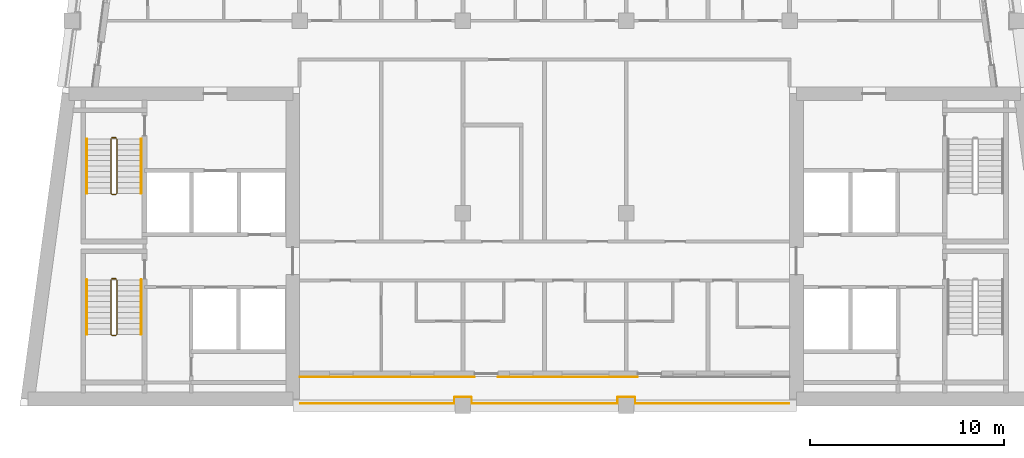
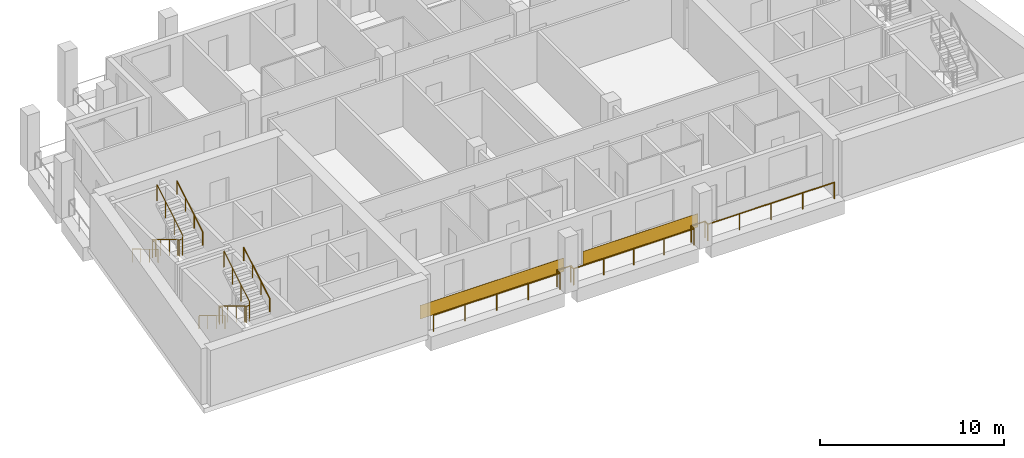
# One storey, part 7 of 9: 9 railings, 2 coverings.
"""IFC4 building model written with IfcOpenShell, lengths in metres."""

from ifc_helpers import new_model, si_unit, direction, frame, origin, origin_2d, place, context, subcontext, project, spatial, rectangle, circle, extrude, material, layer, layer_set, type_object, element, save


model = new_model("IFC4")

# Units and contexts
model_context = context("Model", 3, precision=1e-05, world=origin(), true_north=direction((0.0, 1.0)))
body_context = subcontext(model_context, "Body", "Model", "MODEL_VIEW")
ifc_project = project(units=[si_unit("LENGTHUNIT", "METRE"), si_unit("AREAUNIT", "SQUARE_METRE"), si_unit("VOLUMEUNIT", "CUBIC_METRE"), si_unit("PLANEANGLEUNIT", "RADIAN"), si_unit("MASSUNIT", "GRAM", prefix="KILO")], contexts=[model_context])

# Site, building, storey
site_placement = place(None, origin())
site = spatial("IfcSite", under=ifc_project, at=site_placement, CompositionType="ELEMENT")
building_placement = place(site_placement, origin())
building = spatial("IfcBuilding", under=site, at=building_placement, Name="Candeia Pilgrim Tower and Theatre", CompositionType="ELEMENT")
storey_placement = place(building_placement, frame((0.0, 0.0, 296.0)))
storey = spatial("IfcBuildingStorey", under=building, at=storey_placement, Name="L72", CompositionType="ELEMENT", Elevation=296.0)

# Railing
ifc_material_1 = material(Name="Stainless steel balustrade", Category="steel")
railing_type_1 = type_object("IfcRailingType", Name="G1 loggia guard 1100", PredefinedType="GUARDRAIL", material=ifc_material_1)
railing_1_placement = place(storey_placement, frame((125.949951171875, 116.1201171875, 0.0)))
element("IfcRailing", 1, at=railing_1_placement, inside=storey, type_object=railing_type_1, Name="Guard L72.3", PredefinedType="GUARDRAIL", context=body_context, shape_type="SweptSolid", body=[
    extrude(circle(Radius=0.02392578125, at=origin_2d()), frame((0.0, 0.0, 1.076171875), z_axis=(-1.0, 0.0, 0.0), x_axis=(0.0, -1.0, 0.0)), (0.0, 0.0, 1.0), 7.919921875),
    extrude(circle(Radius=0.02392578125, at=origin_2d()), frame((-7.919921875, 0.0, 1.076171875), z_axis=(0.0, 1.0, 0.0), x_axis=(-1.0, 0.0, 0.0)), (0.0, 0.0, 1.0), 0.309814453125),
    extrude(circle(Radius=0.02392578125, at=origin_2d()), frame((-7.919921875, 0.309814453125, 1.076171875), z_axis=(-1.0, 0.0, 0.0), x_axis=(0.0, -1.0, 0.0)), (0.0, 0.0, 1.0), 0.860107421875),
    extrude(circle(Radius=0.02392578125, at=origin_2d()), frame((-8.780029296875, 0.309814453125, 1.076171875), z_axis=(0.0, -1.0, 0.0), x_axis=(1.0, 0.0, 0.0)), (0.0, 0.0, 1.0), 0.309814453125),
    extrude(circle(Radius=0.02392578125, at=origin_2d()), frame((-8.780029296875, 0.0, 1.076171875), z_axis=(-1.0, 0.0, 0.0), x_axis=(0.0, -1.0, 0.0)), (0.0, 0.0, 1.0), 7.5400390625),
    extrude(circle(Radius=0.02392578125, at=origin_2d()), frame((-16.320068359375, 0.0, 1.076171875), z_axis=(0.0, 1.0, 0.0), x_axis=(-1.0, 0.0, 0.0)), (0.0, 0.0, 1.0), 0.309814453125),
    extrude(circle(Radius=0.02392578125, at=origin_2d()), frame((-16.320068359375, 0.309814453125, 1.076171875), z_axis=(-1.0, 0.0, 0.0), x_axis=(0.0, -1.0, 0.0)), (0.0, 0.0, 1.0), 0.85986328125),
    extrude(circle(Radius=0.02392578125, at=origin_2d()), frame((-17.179931640625, 0.309814453125, 1.076171875), z_axis=(0.0, -1.0, 0.0), x_axis=(1.0, 0.0, 0.0)), (0.0, 0.0, 1.0), 0.309814453125),
    extrude(circle(Radius=0.02392578125, at=origin_2d()), frame((-17.179931640625, 0.0, 1.076171875), z_axis=(-1.0, 0.0, 0.0), x_axis=(0.0, -1.0, 0.0)), (0.0, 0.0, 1.0), 7.919921875),
    extrude(circle(Radius=0.02099609375, at=origin_2d()), origin(), (0.0, 0.0, 1.0), 1.052001953125),
    extrude(circle(Radius=0.02099609375, at=origin_2d()), frame((-1.97998046875, 0.0, 0.0)), (0.0, 0.0, 1.0), 1.052001953125),
    extrude(circle(Radius=0.02099609375, at=origin_2d()), frame((-3.9599609375, 0.0, 0.0)), (0.0, 0.0, 1.0), 1.052001953125),
    extrude(circle(Radius=0.02099609375, at=origin_2d()), frame((-5.93994140625, 0.0, 0.0)), (0.0, 0.0, 1.0), 1.052001953125),
    extrude(circle(Radius=0.02099609375, at=origin_2d()), frame((-7.919921875, 0.0, 0.0)), (0.0, 0.0, 1.0), 1.052001953125),
    extrude(circle(Radius=0.02099609375, at=origin_2d()), frame((-7.919921875, 0.309814453125, 0.0)), (0.0, 0.0, 1.0), 1.052001953125),
    extrude(circle(Radius=0.02099609375, at=origin_2d()), frame((-8.780029296875, 0.309814453125, 0.0)), (0.0, 0.0, 1.0), 1.052001953125),
    extrude(circle(Radius=0.02099609375, at=origin_2d()), frame((-8.780029296875, 0.0, 0.0)), (0.0, 0.0, 1.0), 1.052001953125),
    extrude(circle(Radius=0.02099609375, at=origin_2d()), frame((-10.6650390625, 0.0, 0.0)), (0.0, 0.0, 1.0), 1.052001953125),
    extrude(circle(Radius=0.02099609375, at=origin_2d()), frame((-12.550048828125, 0.0, 0.0)), (0.0, 0.0, 1.0), 1.052001953125),
    extrude(circle(Radius=0.02099609375, at=origin_2d()), frame((-14.43505859375, 0.0, 0.0)), (0.0, 0.0, 1.0), 1.052001953125),
    extrude(circle(Radius=0.02099609375, at=origin_2d()), frame((-16.320068359375, 0.0, 0.0)), (0.0, 0.0, 1.0), 1.052001953125),
    extrude(circle(Radius=0.02099609375, at=origin_2d()), frame((-16.320068359375, 0.309814453125, 0.0)), (0.0, 0.0, 1.0), 1.052001953125),
    extrude(circle(Radius=0.02099609375, at=origin_2d()), frame((-17.179931640625, 0.309814453125, 0.0)), (0.0, 0.0, 1.0), 1.052001953125),
    extrude(circle(Radius=0.02099609375, at=origin_2d()), frame((-17.179931640625, 0.0, 0.0)), (0.0, 0.0, 1.0), 1.052001953125),
    extrude(circle(Radius=0.02099609375, at=origin_2d()), frame((-19.159912109375, 0.0, 0.0)), (0.0, 0.0, 1.0), 1.052001953125),
    extrude(circle(Radius=0.02099609375, at=origin_2d()), frame((-21.139892578125, 0.0, 0.0)), (0.0, 0.0, 1.0), 1.052001953125),
    extrude(circle(Radius=0.02099609375, at=origin_2d()), frame((-23.119873046875, 0.0, 0.0)), (0.0, 0.0, 1.0), 1.052001953125),
    extrude(circle(Radius=0.02099609375, at=origin_2d()), frame((-25.099853515625, 0.0, 0.0)), (0.0, 0.0, 1.0), 1.052001953125),
])

# Coverings
ifc_material_2 = material(Name="Glazed ceramic tile bottle green")
ifc_layer = layer(ifc_material_2, 0.02001953125)
ifc_layer_set = layer_set([ifc_layer], Name="Glazed ceramic tile bottle green")
covering_type = type_object("IfcCoveringType", Name="Glazed ceramic tile bottle green", PredefinedType="CLADDING", material=ifc_layer_set)
covering_1_placement = place(storey_placement, frame((105.300048828125, 117.489990234375, 0.0), z_axis=(0.0, 0.0, 1.0), x_axis=(1.0, 0.0, 0.0)))
element("IfcCovering", 2, at=covering_1_placement, inside=storey, type_object=covering_type, Name="Tile cladding bottle green L72", PredefinedType="CLADDING", context=body_context, shape_type="SweptSolid", body=[
    extrude(rectangle(XDim=9.0, YDim=0.02001953125, at=origin_2d()), origin(), (0.0, 0.0, 1.0), 0.89990234375),
])
covering_2_placement = place(storey_placement, frame((114.60009765625, 117.489990234375, 0.0), z_axis=(0.0, 0.0, 1.0), x_axis=(1.0, 0.0, 0.0)))
element("IfcCovering", 3, at=covering_2_placement, inside=storey, type_object=covering_type, Name="Tile cladding bottle green L72", PredefinedType="CLADDING", context=body_context, shape_type="SweptSolid", body=[
    extrude(rectangle(XDim=7.199951171875, YDim=0.02001953125, at=origin_2d()), origin(), (0.0, 0.0, 1.0), 0.89990234375),
])

# Railings
railing_type_2 = type_object("IfcRailingType", Name="RL-GUARD-1100", PredefinedType="GUARDRAIL", material=ifc_material_1)
railing_2_placement = place(storey_placement, frame((91.10205078125, 122.47509765625, 0.168212890625)))
element("IfcRailing", 4, at=railing_2_placement, inside=storey, type_object=railing_type_2, Name="L72 ST1 stair guard 1", PredefinedType="GUARDRAIL", context=body_context, shape_type="SweptSolid", body=[
    extrude(circle(Radius=0.02392578125, at=origin_2d()), frame((0.0, 0.0, 1.076171875), z_axis=(0.0, -0.857242210791, 0.514913383045), x_axis=(1.0, 0.0, 0.0)), (0.0, 0.0, 1.0), 3.266357421875),
    extrude(circle(Radius=0.02392578125, at=origin_2d()), frame((0.0, -2.800048828125, 2.7578125), z_axis=(0.707106781187, -0.707106781187, 0.0), x_axis=(0.707106781187, 0.707106781187, 0.0)), (0.0, 0.0, 1.0), 0.07080078125),
    extrude(circle(Radius=0.02392578125, at=origin_2d()), frame((0.050048828125, -2.85009765625, 2.7578125), z_axis=(1.0, 0.0, 0.0), x_axis=(0.0, 1.0, 0.0)), (0.0, 0.0, 1.0), 0.199951171875),
    extrude(circle(Radius=0.02392578125, at=origin_2d()), frame((0.25, -2.85009765625, 2.7578125), z_axis=(0.274582412415, 0.274582412415, 0.921525364591), x_axis=(-0.707106781187, 0.707106781187, 0.0)), (0.0, 0.0, 1.0), 0.182373046875),
    extrude(circle(Radius=0.02392578125, at=origin_2d()), frame((0.300048828125, -2.800048828125, 2.92578125), z_axis=(0.0, 0.857242210791, 0.514913383045), x_axis=(-1.0, 0.0, 0.0)), (0.0, 0.0, 1.0), 3.266357421875),
    extrude(circle(Radius=0.02099609375, at=origin_2d()), origin(), (0.0, 0.0, 1.0), 1.052001953125),
    extrude(circle(Radius=0.02099609375, at=origin_2d()), frame((0.0, -0.933349609375, 0.560546875)), (0.0, 0.0, 1.0), 1.052001953125),
    extrude(circle(Radius=0.02099609375, at=origin_2d()), frame((0.0, -1.86669921875, 1.121337890625)), (0.0, 0.0, 1.0), 1.052001953125),
    extrude(circle(Radius=0.02099609375, at=origin_2d()), frame((0.0, -2.800048828125, 1.681884765625)), (0.0, 0.0, 1.0), 1.052001953125),
    extrude(circle(Radius=0.02099609375, at=origin_2d()), frame((0.050048828125, -2.85009765625, 1.681884765625)), (0.0, 0.0, 1.0), 1.052001953125),
    extrude(circle(Radius=0.02099609375, at=origin_2d()), frame((0.25, -2.85009765625, 1.681884765625)), (0.0, 0.0, 1.0), 1.052001953125),
    extrude(circle(Radius=0.02099609375, at=origin_2d()), frame((0.300048828125, -2.800048828125, 1.849853515625)), (0.0, 0.0, 1.0), 1.052001953125),
    extrude(circle(Radius=0.02099609375, at=origin_2d()), frame((0.300048828125, -1.86669921875, 2.410400390625)), (0.0, 0.0, 1.0), 1.052001953125),
    extrude(circle(Radius=0.02099609375, at=origin_2d()), frame((0.300048828125, -0.933349609375, 2.97119140625)), (0.0, 0.0, 1.0), 1.052001953125),
    extrude(circle(Radius=0.02099609375, at=origin_2d()), frame((0.300048828125, 0.0, 3.53173828125)), (0.0, 0.0, 1.0), 1.052001953125),
])
railing_3_placement = place(storey_placement, frame((91.152099609375, 122.52490234375, 0.0)))
element("IfcRailing", 5, at=railing_3_placement, inside=storey, type_object=railing_type_2, Name="L72 ST1 stair guard 2", PredefinedType="GUARDRAIL", context=body_context, shape_type="SweptSolid", body=[
    extrude(circle(Radius=0.02392578125, at=origin_2d()), frame((0.0, 0.0, 1.076171875), z_axis=(1.0, 0.0, 0.0), x_axis=(0.0, 1.0, 0.0)), (0.0, 0.0, 1.0), 0.199951171875),
    extrude(circle(Radius=0.02099609375, at=origin_2d()), origin(), (0.0, 0.0, 1.0), 1.052001953125),
    extrude(circle(Radius=0.02099609375, at=origin_2d()), frame((0.199951171875, 0.0, 0.0)), (0.0, 0.0, 1.0), 1.052001953125),
])
railing_4_placement = place(storey_placement, frame((91.10205078125, 129.72509765625, 0.168212890625)))
element("IfcRailing", 6, at=railing_4_placement, inside=storey, type_object=railing_type_2, Name="L72 ST2 stair guard 1", PredefinedType="GUARDRAIL", context=body_context, shape_type="SweptSolid", body=[
    extrude(circle(Radius=0.02392578125, at=origin_2d()), frame((0.0, 0.0, 1.076171875), z_axis=(0.0, -0.857242210791, 0.514913383045), x_axis=(1.0, 0.0, 0.0)), (0.0, 0.0, 1.0), 3.266357421875),
    extrude(circle(Radius=0.02392578125, at=origin_2d()), frame((0.0, -2.800048828125, 2.7578125), z_axis=(0.707106781187, -0.707106781187, 0.0), x_axis=(0.707106781187, 0.707106781187, 0.0)), (0.0, 0.0, 1.0), 0.07080078125),
    extrude(circle(Radius=0.02392578125, at=origin_2d()), frame((0.050048828125, -2.85009765625, 2.7578125), z_axis=(1.0, 0.0, 0.0), x_axis=(0.0, 1.0, 0.0)), (0.0, 0.0, 1.0), 0.199951171875),
    extrude(circle(Radius=0.02392578125, at=origin_2d()), frame((0.25, -2.85009765625, 2.7578125), z_axis=(0.274582412415, 0.274582412415, 0.921525364591), x_axis=(-0.707106781187, 0.707106781187, 0.0)), (0.0, 0.0, 1.0), 0.182373046875),
    extrude(circle(Radius=0.02392578125, at=origin_2d()), frame((0.300048828125, -2.800048828125, 2.92578125), z_axis=(0.0, 0.857242210791, 0.514913383045), x_axis=(-1.0, 0.0, 0.0)), (0.0, 0.0, 1.0), 3.266357421875),
    extrude(circle(Radius=0.02099609375, at=origin_2d()), origin(), (0.0, 0.0, 1.0), 1.052001953125),
    extrude(circle(Radius=0.02099609375, at=origin_2d()), frame((0.0, -0.933349609375, 0.560546875)), (0.0, 0.0, 1.0), 1.052001953125),
    extrude(circle(Radius=0.02099609375, at=origin_2d()), frame((0.0, -1.86669921875, 1.121337890625)), (0.0, 0.0, 1.0), 1.052001953125),
    extrude(circle(Radius=0.02099609375, at=origin_2d()), frame((0.0, -2.800048828125, 1.681884765625)), (0.0, 0.0, 1.0), 1.052001953125),
    extrude(circle(Radius=0.02099609375, at=origin_2d()), frame((0.050048828125, -2.85009765625, 1.681884765625)), (0.0, 0.0, 1.0), 1.052001953125),
    extrude(circle(Radius=0.02099609375, at=origin_2d()), frame((0.25, -2.85009765625, 1.681884765625)), (0.0, 0.0, 1.0), 1.052001953125),
    extrude(circle(Radius=0.02099609375, at=origin_2d()), frame((0.300048828125, -2.800048828125, 1.849853515625)), (0.0, 0.0, 1.0), 1.052001953125),
    extrude(circle(Radius=0.02099609375, at=origin_2d()), frame((0.300048828125, -1.86669921875, 2.410400390625)), (0.0, 0.0, 1.0), 1.052001953125),
    extrude(circle(Radius=0.02099609375, at=origin_2d()), frame((0.300048828125, -0.933349609375, 2.97119140625)), (0.0, 0.0, 1.0), 1.052001953125),
    extrude(circle(Radius=0.02099609375, at=origin_2d()), frame((0.300048828125, 0.0, 3.53173828125)), (0.0, 0.0, 1.0), 1.052001953125),
])
railing_5_placement = place(storey_placement, frame((91.152099609375, 129.77490234375, 0.0)))
element("IfcRailing", 7, at=railing_5_placement, inside=storey, type_object=railing_type_2, Name="L72 ST2 stair guard 2", PredefinedType="GUARDRAIL", context=body_context, shape_type="SweptSolid", body=[
    extrude(circle(Radius=0.02392578125, at=origin_2d()), frame((0.0, 0.0, 1.076171875), z_axis=(1.0, 0.0, 0.0), x_axis=(0.0, 1.0, 0.0)), (0.0, 0.0, 1.0), 0.199951171875),
    extrude(circle(Radius=0.02099609375, at=origin_2d()), origin(), (0.0, 0.0, 1.0), 1.052001953125),
    extrude(circle(Radius=0.02099609375, at=origin_2d()), frame((0.199951171875, 0.0, 0.0)), (0.0, 0.0, 1.0), 1.052001953125),
])
ifc_material_3 = material(Name="Stainless steel handrail", Category="steel")
railing_type_3 = type_object("IfcRailingType", Name="RL-HANDRAIL-900", PredefinedType="HANDRAIL", material=ifc_material_3)
railing_6_placement = place(storey_placement, frame((89.85205078125, 122.47509765625, 0.168212890625)))
element("IfcRailing", 8, at=railing_6_placement, inside=storey, type_object=railing_type_3, Name="L72 ST1 stair handrail 1", PredefinedType="HANDRAIL", context=body_context, shape_type="SweptSolid", body=[
    extrude(circle(Radius=0.02392578125, at=origin_2d()), frame((0.0, 0.0, 0.8759765625), z_axis=(0.0, -0.857242210791, 0.514913383045), x_axis=(1.0, 0.0, 0.0)), (0.0, 0.0, 1.0), 3.266357421875),
    extrude(circle(Radius=0.02099609375, at=origin_2d()), origin(), (0.0, 0.0, 1.0), 0.851806640625),
    extrude(circle(Radius=0.02099609375, at=origin_2d()), frame((0.0, -0.933349609375, 0.560546875)), (0.0, 0.0, 1.0), 0.851806640625),
    extrude(circle(Radius=0.02099609375, at=origin_2d()), frame((0.0, -1.86669921875, 1.121337890625)), (0.0, 0.0, 1.0), 0.851806640625),
    extrude(circle(Radius=0.02099609375, at=origin_2d()), frame((0.0, -2.800048828125, 1.681884765625)), (0.0, 0.0, 1.0), 0.851806640625),
])
railing_7_placement = place(storey_placement, frame((92.652099609375, 119.675048828125, 2.01806640625)))
element("IfcRailing", 9, at=railing_7_placement, inside=storey, type_object=railing_type_3, Name="L72 ST1 stair handrail 2", PredefinedType="HANDRAIL", context=body_context, shape_type="SweptSolid", body=[
    extrude(circle(Radius=0.02392578125, at=origin_2d()), frame((0.0, 0.0, 0.8759765625), z_axis=(0.0, 0.857242210791, 0.514913383045), x_axis=(-1.0, 0.0, 0.0)), (0.0, 0.0, 1.0), 3.266357421875),
    extrude(circle(Radius=0.02099609375, at=origin_2d()), origin(), (0.0, 0.0, 1.0), 0.851806640625),
    extrude(circle(Radius=0.02099609375, at=origin_2d()), frame((0.0, 0.933349609375, 0.560546875)), (0.0, 0.0, 1.0), 0.851806640625),
    extrude(circle(Radius=0.02099609375, at=origin_2d()), frame((0.0, 1.86669921875, 1.121337890625)), (0.0, 0.0, 1.0), 0.851806640625),
    extrude(circle(Radius=0.02099609375, at=origin_2d()), frame((0.0, 2.800048828125, 1.681884765625)), (0.0, 0.0, 1.0), 0.851806640625),
])
railing_8_placement = place(storey_placement, frame((89.85205078125, 129.72509765625, 0.168212890625)))
element("IfcRailing", 10, at=railing_8_placement, inside=storey, type_object=railing_type_3, Name="L72 ST2 stair handrail 1", PredefinedType="HANDRAIL", context=body_context, shape_type="SweptSolid", body=[
    extrude(circle(Radius=0.02392578125, at=origin_2d()), frame((0.0, 0.0, 0.8759765625), z_axis=(0.0, -0.857242210791, 0.514913383045), x_axis=(1.0, 0.0, 0.0)), (0.0, 0.0, 1.0), 3.266357421875),
    extrude(circle(Radius=0.02099609375, at=origin_2d()), origin(), (0.0, 0.0, 1.0), 0.851806640625),
    extrude(circle(Radius=0.02099609375, at=origin_2d()), frame((0.0, -0.933349609375, 0.560546875)), (0.0, 0.0, 1.0), 0.851806640625),
    extrude(circle(Radius=0.02099609375, at=origin_2d()), frame((0.0, -1.86669921875, 1.121337890625)), (0.0, 0.0, 1.0), 0.851806640625),
    extrude(circle(Radius=0.02099609375, at=origin_2d()), frame((0.0, -2.800048828125, 1.681884765625)), (0.0, 0.0, 1.0), 0.851806640625),
])
railing_9_placement = place(storey_placement, frame((92.652099609375, 126.925048828125, 2.01806640625)))
element("IfcRailing", 11, at=railing_9_placement, inside=storey, type_object=railing_type_3, Name="L72 ST2 stair handrail 2", PredefinedType="HANDRAIL", context=body_context, shape_type="SweptSolid", body=[
    extrude(circle(Radius=0.02392578125, at=origin_2d()), frame((0.0, 0.0, 0.8759765625), z_axis=(0.0, 0.857242210791, 0.514913383045), x_axis=(-1.0, 0.0, 0.0)), (0.0, 0.0, 1.0), 3.266357421875),
    extrude(circle(Radius=0.02099609375, at=origin_2d()), origin(), (0.0, 0.0, 1.0), 0.851806640625),
    extrude(circle(Radius=0.02099609375, at=origin_2d()), frame((0.0, 0.933349609375, 0.560546875)), (0.0, 0.0, 1.0), 0.851806640625),
    extrude(circle(Radius=0.02099609375, at=origin_2d()), frame((0.0, 1.86669921875, 1.121337890625)), (0.0, 0.0, 1.0), 0.851806640625),
    extrude(circle(Radius=0.02099609375, at=origin_2d()), frame((0.0, 2.800048828125, 1.681884765625)), (0.0, 0.0, 1.0), 0.851806640625),
])

save(model, "model.ifc")
